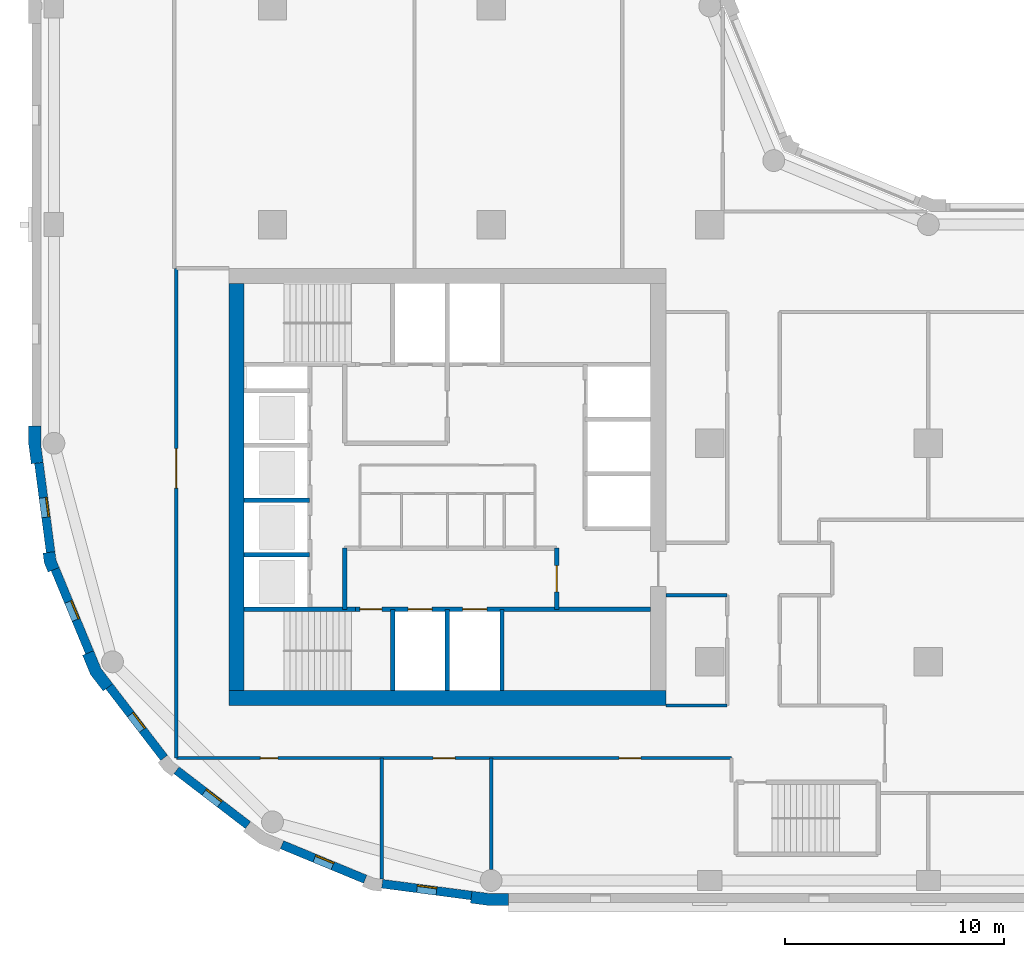
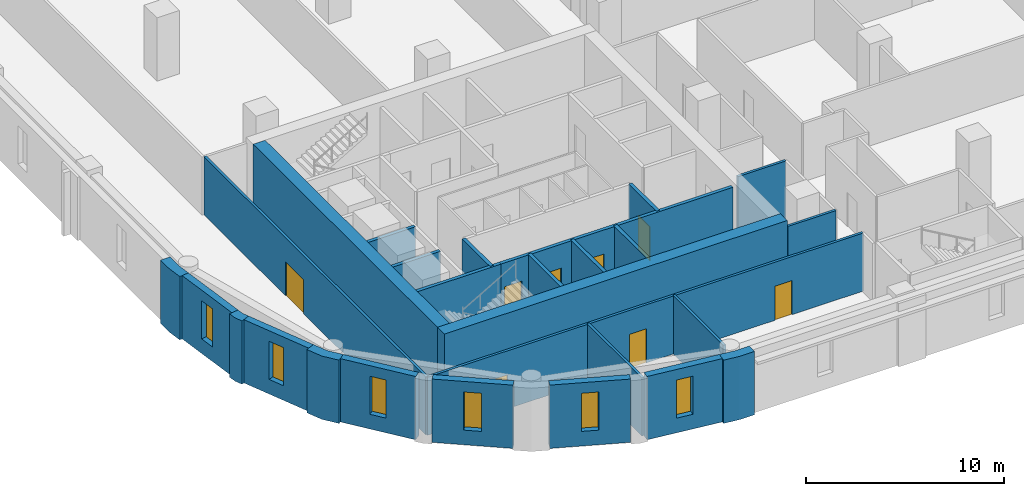
# One storey, part 2 of 9: 27 walls, 8 doors, 6 windows, 14 openings.
"""IFC4 building model written with IfcOpenShell, lengths in metres."""

from ifc_helpers import new_model, si_unit, direction, frame, frame_2d, origin, place, context, subcontext, project, spatial, polyline, rectangle, outline, extrude, material, layer, layer_set, type_object, element, fill, save


model = new_model("IFC4")

# Units and contexts
model_context = context("Model", 3, precision=1e-05, world=origin(), true_north=direction((0.0, 1.0)))
body_context = subcontext(model_context, "Body", "Model", "MODEL_VIEW")
ifc_project = project(units=[si_unit("LENGTHUNIT", "METRE"), si_unit("AREAUNIT", "SQUARE_METRE"), si_unit("VOLUMEUNIT", "CUBIC_METRE"), si_unit("PLANEANGLEUNIT", "RADIAN"), si_unit("MASSUNIT", "GRAM", prefix="KILO")], contexts=[model_context])

# Site, building, storey
site_placement = place(None, origin())
site = spatial("IfcSite", under=ifc_project, at=site_placement, CompositionType="ELEMENT")
building_placement = place(site_placement, origin())
building = spatial("IfcBuilding", under=site, at=building_placement, Name="Qaws Garden Tower", CompositionType="ELEMENT")
storey_placement = place(building_placement, frame((0.0, 0.0, 143.39990234375)))
storey = spatial("IfcBuildingStorey", under=building, at=storey_placement, Name="L34", CompositionType="ELEMENT", Elevation=143.39990234375)

# Wall, opening, window
ifc_material_1 = material(Name="Clay facing brick masonry", Category="masonry")
ifc_layer_1 = layer(ifc_material_1, 0.39990234375)
ifc_layer_set_1 = layer_set([ifc_layer_1], Name="Clay facing brick masonry")
wall_type_1 = type_object("IfcWallType", Name="Brick infill wall 400", PredefinedType="SOLIDWALL", material=ifc_layer_set_1)
wall_1_placement = place(storey_placement, frame((-0.688720703125, 19.102294921875, 0.0), z_axis=(0.0, 0.0, 1.0), x_axis=(0.130514280502, -0.991446429508, 0.0)))
wall_1 = element("IfcWall", 1, at=wall_1_placement, inside=storey, type_object=wall_type_1, Name="E-L34-infill-25", PredefinedType="SOLIDWALL", context=body_context, shape_type="SweptSolid", body=[
    extrude(rectangle(XDim=4.120849609375, YDim=0.39990234375, at=frame_2d((2.060546875, 0.0))), origin(), (0.0, 0.0, 1.0), 3.900146484375),
])
opening_1_placement = place(wall_1_placement, frame((1.610595703125, 0.0, 0.89990234375)))
opening_1 = element("IfcOpeningElement", 2, at=opening_1_placement, cuts=wall_1, Name="Opening W09", PredefinedType="OPENING", context=body_context, shape_type="SweptSolid", body=[
    extrude(rectangle(XDim=0.89990234375, YDim=2.35009765625, at=frame_2d((0.449951171875, 1.175048828125))), frame((0.0, 0.2099609375, 0.0), z_axis=(0.0, -1.0, 0.0), x_axis=(1.0, 0.0, 0.0)), (0.0, 0.0, 1.0), 0.419921875),
])
ifc_material_2 = material(Name="Aluminium framed window, clear glazing", Category="aluminium")
window_type = type_object("IfcWindowType", Name="Slit window 900 x 2350", PartitioningType="SINGLE_PANEL", PredefinedType="WINDOW", material=ifc_material_2)
window_1_placement = place(opening_1_placement, origin())
window_1 = element("IfcWindow", 3, at=window_1_placement, inside=storey, type_object=window_type, Name="E-L34-window-25-0", OverallHeight=2.35009765625, OverallWidth=0.89990234375, PartitioningType="SINGLE_PANEL", PredefinedType="WINDOW", context=body_context, shape_type="SweptSolid", body=[
    extrude(rectangle(XDim=0.89990234375, YDim=2.35009765625, at=frame_2d((0.449951171875, 1.175048828125))), frame((0.0, 0.159912109375, 0.0), z_axis=(0.0, -1.0, 0.0), x_axis=(1.0, 0.0, 0.0)), (0.0, 0.0, 1.0), 0.06005859375),
])
fill(opening_1, window_1)

wall_2_placement = place(storey_placement, frame((0.05712890625, 14.240234375, 0.0), z_axis=(0.0, 0.0, 1.0), x_axis=(0.382721546029, -0.923863744394, 0.0)))
wall_2 = element("IfcWall", 4, at=wall_2_placement, inside=storey, type_object=wall_type_1, Name="E-L34-infill-26", PredefinedType="SOLIDWALL", context=body_context, shape_type="SweptSolid", body=[
    extrude(rectangle(XDim=4.120849609375, YDim=0.39990234375, at=frame_2d((2.060546875, 0.0))), origin(), (0.0, 0.0, 1.0), 3.900146484375),
])
opening_2_placement = place(wall_2_placement, frame((1.610595703125, 0.0, 0.89990234375)))
opening_2 = element("IfcOpeningElement", 5, at=opening_2_placement, cuts=wall_2, Name="Opening W09", PredefinedType="OPENING", context=body_context, shape_type="SweptSolid", body=[
    extrude(rectangle(XDim=0.89990234375, YDim=2.35009765625, at=frame_2d((0.449951171875, 1.175048828125))), frame((0.0, 0.2099609375, 0.0), z_axis=(0.0, -1.0, 0.0), x_axis=(1.0, 0.0, 0.0)), (0.0, 0.0, 1.0), 0.419921875),
])
window_2_placement = place(opening_2_placement, origin())
window_2 = element("IfcWindow", 6, at=window_2_placement, inside=storey, type_object=window_type, Name="E-L34-window-26-0", OverallHeight=2.35009765625, OverallWidth=0.89990234375, PartitioningType="SINGLE_PANEL", PredefinedType="WINDOW", context=body_context, shape_type="SweptSolid", body=[
    extrude(rectangle(XDim=0.89990234375, YDim=2.35009765625, at=frame_2d((0.449951171875, 1.175048828125))), frame((0.0, 0.159912109375, 0.0), z_axis=(0.0, -1.0, 0.0), x_axis=(1.0, 0.0, 0.0)), (0.0, 0.0, 1.0), 0.06005859375),
])
fill(opening_2, window_2)

wall_3_placement = place(storey_placement, frame((2.53173828125, 8.87841796875, 0.0), z_axis=(0.0, 0.0, 1.0), x_axis=(0.608759824817, -0.793354571229, 0.0)))
wall_3 = element("IfcWall", 7, at=wall_3_placement, inside=storey, type_object=wall_type_1, Name="E-L34-infill-27", PredefinedType="SOLIDWALL", context=body_context, shape_type="SweptSolid", body=[
    extrude(rectangle(XDim=4.12109375, YDim=0.39990234375, at=frame_2d((2.060546875, 0.0))), origin(), (0.0, 0.0, 1.0), 3.900146484375),
])
opening_3_placement = place(wall_3_placement, frame((1.610595703125, 0.0, 0.89990234375)))
opening_3 = element("IfcOpeningElement", 8, at=opening_3_placement, cuts=wall_3, Name="Opening W09", PredefinedType="OPENING", context=body_context, shape_type="SweptSolid", body=[
    extrude(rectangle(XDim=0.89990234375, YDim=2.35009765625, at=frame_2d((0.449951171875, 1.175048828125))), frame((0.0, 0.2099609375, 0.0), z_axis=(0.0, -1.0, 0.0), x_axis=(1.0, 0.0, 0.0)), (0.0, 0.0, 1.0), 0.419921875),
])
window_3_placement = place(opening_3_placement, origin())
window_3 = element("IfcWindow", 9, at=window_3_placement, inside=storey, type_object=window_type, Name="E-L34-window-27-0", OverallHeight=2.35009765625, OverallWidth=0.89990234375, PartitioningType="SINGLE_PANEL", PredefinedType="WINDOW", context=body_context, shape_type="SweptSolid", body=[
    extrude(rectangle(XDim=0.89990234375, YDim=2.35009765625, at=frame_2d((0.449951171875, 1.175048828125))), frame((0.0, 0.159912109375, 0.0), z_axis=(0.0, -1.0, 0.0), x_axis=(1.0, 0.0, 0.0)), (0.0, 0.0, 1.0), 0.06005859375),
])
fill(opening_3, window_3)

wall_4_placement = place(storey_placement, frame((5.60888671875, 5.04052734375, 0.0), z_axis=(0.0, 0.0, 1.0), x_axis=(0.793354571229, -0.608759824817, 0.0)))
wall_4 = element("IfcWall", 10, at=wall_4_placement, inside=storey, type_object=wall_type_1, Name="E-L34-infill-28", PredefinedType="SOLIDWALL", context=body_context, shape_type="SweptSolid", body=[
    extrude(rectangle(XDim=4.12109375, YDim=0.39990234375, at=frame_2d((2.060546875, 0.0))), origin(), (0.0, 0.0, 1.0), 3.900146484375),
])
opening_4_placement = place(wall_4_placement, frame((1.610595703125, 0.0, 0.89990234375)))
opening_4 = element("IfcOpeningElement", 11, at=opening_4_placement, cuts=wall_4, Name="Opening W09", PredefinedType="OPENING", context=body_context, shape_type="SweptSolid", body=[
    extrude(rectangle(XDim=0.89990234375, YDim=2.35009765625, at=frame_2d((0.449951171875, 1.175048828125))), frame((0.0, 0.2099609375, 0.0), z_axis=(0.0, -1.0, 0.0), x_axis=(1.0, 0.0, 0.0)), (0.0, 0.0, 1.0), 0.419921875),
])
window_4_placement = place(opening_4_placement, origin())
window_4 = element("IfcWindow", 12, at=window_4_placement, inside=storey, type_object=window_type, Name="E-L34-window-28-0", OverallHeight=2.35009765625, OverallWidth=0.89990234375, PartitioningType="SINGLE_PANEL", PredefinedType="WINDOW", context=body_context, shape_type="SweptSolid", body=[
    extrude(rectangle(XDim=0.89990234375, YDim=2.35009765625, at=frame_2d((0.449951171875, 1.175048828125))), frame((0.0, 0.159912109375, 0.0), z_axis=(0.0, -1.0, 0.0), x_axis=(1.0, 0.0, 0.0)), (0.0, 0.0, 1.0), 0.06005859375),
])
fill(opening_4, window_4)

wall_5_placement = place(storey_placement, frame((10.43310546875, 1.63427734375, 0.0), z_axis=(0.0, 0.0, 1.0), x_axis=(0.923863744394, -0.382721546029, 0.0)))
wall_5 = element("IfcWall", 13, at=wall_5_placement, inside=storey, type_object=wall_type_1, Name="E-L34-infill-29", PredefinedType="SOLIDWALL", context=body_context, shape_type="SweptSolid", body=[
    extrude(rectangle(XDim=4.120849609375, YDim=0.39990234375, at=frame_2d((2.060546875, 0.0))), origin(), (0.0, 0.0, 1.0), 3.900146484375),
])
opening_5_placement = place(wall_5_placement, frame((1.610595703125, 0.0, 0.89990234375)))
opening_5 = element("IfcOpeningElement", 14, at=opening_5_placement, cuts=wall_5, Name="Opening W09", PredefinedType="OPENING", context=body_context, shape_type="SweptSolid", body=[
    extrude(rectangle(XDim=0.89990234375, YDim=2.35009765625, at=frame_2d((0.449951171875, 1.175048828125))), frame((0.0, 0.2099609375, 0.0), z_axis=(0.0, -1.0, 0.0), x_axis=(1.0, 0.0, 0.0)), (0.0, 0.0, 1.0), 0.419921875),
])
window_5_placement = place(opening_5_placement, origin())
window_5 = element("IfcWindow", 15, at=window_5_placement, inside=storey, type_object=window_type, Name="E-L34-window-29-0", OverallHeight=2.35009765625, OverallWidth=0.89990234375, PartitioningType="SINGLE_PANEL", PredefinedType="WINDOW", context=body_context, shape_type="SweptSolid", body=[
    extrude(rectangle(XDim=0.89990234375, YDim=2.35009765625, at=frame_2d((0.449951171875, 1.175048828125))), frame((0.0, 0.159912109375, 0.0), z_axis=(0.0, -1.0, 0.0), x_axis=(1.0, 0.0, 0.0)), (0.0, 0.0, 1.0), 0.06005859375),
])
fill(opening_5, window_5)

wall_6_placement = place(storey_placement, frame((15.0166015625, -0.15087890625, 0.0), z_axis=(0.0, 0.0, 1.0), x_axis=(0.991446429508, -0.130514280502, 0.0)))
wall_6 = element("IfcWall", 16, at=wall_6_placement, inside=storey, type_object=wall_type_1, Name="E-L34-infill-30", PredefinedType="SOLIDWALL", context=body_context, shape_type="SweptSolid", body=[
    extrude(rectangle(XDim=4.120849609375, YDim=0.39990234375, at=frame_2d((2.060546875, 0.0))), origin(), (0.0, 0.0, 1.0), 3.900146484375),
])
opening_6_placement = place(wall_6_placement, frame((1.610595703125, 0.0, 0.89990234375)))
opening_6 = element("IfcOpeningElement", 17, at=opening_6_placement, cuts=wall_6, Name="Opening W09", PredefinedType="OPENING", context=body_context, shape_type="SweptSolid", body=[
    extrude(rectangle(XDim=0.89990234375, YDim=2.35009765625, at=frame_2d((0.449951171875, 1.175048828125))), frame((0.0, 0.2099609375, 0.0), z_axis=(0.0, -1.0, 0.0), x_axis=(1.0, 0.0, 0.0)), (0.0, 0.0, 1.0), 0.419921875),
])
window_6_placement = place(opening_6_placement, origin())
window_6 = element("IfcWindow", 18, at=window_6_placement, inside=storey, type_object=window_type, Name="E-L34-window-30-0", OverallHeight=2.35009765625, OverallWidth=0.89990234375, PartitioningType="SINGLE_PANEL", PredefinedType="WINDOW", context=body_context, shape_type="SweptSolid", body=[
    extrude(rectangle(XDim=0.89990234375, YDim=2.35009765625, at=frame_2d((0.449951171875, 1.175048828125))), frame((0.0, 0.159912109375, 0.0), z_axis=(0.0, -1.0, 0.0), x_axis=(1.0, 0.0, 0.0)), (0.0, 0.0, 1.0), 0.06005859375),
])
fill(opening_6, window_6)

# Walls
ifc_material_3 = material(Name="Clay facing brick masonry", Category="masonry")
ifc_layer_2 = layer(ifc_material_3, 0.550048828125)
ifc_layer_set_2 = layer_set([ifc_layer_2], Name="Clay facing brick masonry")
wall_type_2 = type_object("IfcWallType", Name="Brick kink pier 550 x 600", PredefinedType="SOLIDWALL", material=ifc_layer_set_2)
placement = place(storey_placement, origin())
element("IfcWall", 19, at=placement, inside=storey, type_object=wall_type_2, Name="E-L34-pier-26", PredefinedType="SOLIDWALL", context=body_context, shape_type="SweptSolid", body=[
    extrude(outline(polyline([(-0.34912109375, 14.990478515625), (-0.497802734375, 14.970947265625), (-0.43896484375, 14.5234375), (-0.26611328125, 14.1064453125), (-0.127685546875, 14.163818359375), (0.241943359375, 14.31689453125), (0.096923828125, 14.6669921875), (0.04736328125, 15.042724609375), (-0.34912109375, 14.990478515625)])), origin(), (0.0, 0.0, 1.0), 3.900146484375),
])
ifc_material_4 = material(Name="Clay facing brick masonry", Category="masonry")
ifc_layer_3 = layer(ifc_material_4, 0.550048828125)
ifc_layer_set_3 = layer_set([ifc_layer_3], Name="Clay facing brick masonry")
wall_type_3 = type_object("IfcWallType", Name="Brick pier 550 x 1600", PredefinedType="SOLIDWALL", material=ifc_layer_set_3)
element("IfcWall", 20, at=placement, inside=storey, type_object=wall_type_3, Name="E-L34-pier-00", PredefinedType="SOLIDWALL", context=body_context, shape_type="SweptSolid", body=[
    extrude(outline(polyline([(19.076416015625, -0.886962890625), (19.056640625, -1.03564453125), (19.924560546875, -1.14990234375), (20.800048828125, -1.14990234375), (20.800048828125, -1.0), (20.800048828125, -0.60009765625), (19.960693359375, -0.60009765625), (19.12841796875, -0.490478515625), (19.076416015625, -0.886962890625)])), origin(), (0.0, 0.0, 1.0), 3.900146484375),
])
element("IfcWall", 21, at=placement, inside=storey, type_object=wall_type_3, Name="E-L34-pier-25", PredefinedType="SOLIDWALL", context=body_context, shape_type="SweptSolid", body=[
    extrude(outline(polyline([(-1.0, 20.800048828125), (-1.14990234375, 20.800048828125), (-1.14990234375, 19.924560546875), (-1.03564453125, 19.056640625), (-0.886962890625, 19.076416015625), (-0.490478515625, 19.12841796875), (-0.60009765625, 19.960693359375), (-0.60009765625, 20.800048828125), (-1.0, 20.800048828125)])), origin(), (0.0, 0.0, 1.0), 3.900146484375),
])
element("IfcWall", 22, at=placement, inside=storey, type_object=wall_type_3, Name="E-L34-pier-27", PredefinedType="SOLIDWALL", context=body_context, shape_type="SweptSolid", body=[
    extrude(outline(polyline([(1.449462890625, 10.3564453125), (1.310791015625, 10.299072265625), (1.675048828125, 9.419921875), (2.254150390625, 8.665283203125), (2.373046875, 8.756591796875), (2.6904296875, 9.0), (2.1552734375, 9.697509765625), (1.819091796875, 10.509521484375), (1.449462890625, 10.3564453125)])), origin(), (0.0, 0.0, 1.0), 3.900146484375),
])
ifc_material_5 = material(Name="Concrete C70", Category="concrete")
ifc_layer_4 = layer(ifc_material_5, 0.199951171875)
ifc_layer_set_4 = layer_set([ifc_layer_4], Name="Concrete C70")
wall_type_4 = type_object("IfcWallType", Name="Core shaft wall 200 C70", PredefinedType="SHEAR", material=ifc_layer_set_4)
wall_11_placement = place(storey_placement, frame((8.699951171875, 12.39990234375, 0.0), z_axis=(0.0, 0.0, 1.0), x_axis=(1.0, 0.0, 0.0)))
element("IfcWall", 23, at=wall_11_placement, inside=storey, type_object=wall_type_4, Name="Shaft wall", PredefinedType="SHEAR", context=body_context, shape_type="SweptSolid", body=[
    extrude(rectangle(XDim=5.10009765625, YDim=0.199951171875, at=frame_2d((2.550048828125, 0.0))), origin(), (0.0, 0.0, 1.0), 3.580078125),
])

# Wall, openings, doors
wall_12_placement = place(storey_placement, frame((13.800048828125, 12.39990234375, 0.0), z_axis=(0.0, 0.0, 1.0), x_axis=(1.0, 0.0, 0.0)))
wall_12 = element("IfcWall", 24, at=wall_12_placement, inside=storey, type_object=wall_type_4, Name="Shaft wall", PredefinedType="SHEAR", context=body_context, shape_type="SweptSolid", body=[
    extrude(rectangle(XDim=13.5, YDim=0.199951171875, at=frame_2d((6.75, 0.0))), origin(), (0.0, 0.0, 1.0), 3.580078125),
])
opening_7_placement = place(wall_12_placement, frame((2.39990234375, 0.0, 0.0)))
opening_7 = element("IfcOpeningElement", 25, at=opening_7_placement, cuts=wall_12, Name="Opening LD06", PredefinedType="OPENING", context=body_context, shape_type="SweptSolid", body=[
    extrude(rectangle(XDim=1.10009765625, YDim=2.10009765625, at=frame_2d((0.550048828125, 1.050048828125))), frame((0.0, 0.10986328125, 0.0), z_axis=(0.0, -1.0, 0.0), x_axis=(1.0, 0.0, 0.0)), (0.0, 0.0, 1.0), 0.219970703125),
])
opening_8_placement = place(wall_12_placement, frame((4.89990234375, 0.0, 0.0)))
opening_8 = element("IfcOpeningElement", 26, at=opening_8_placement, cuts=wall_12, Name="Opening LD07", PredefinedType="OPENING", context=body_context, shape_type="SweptSolid", body=[
    extrude(rectangle(XDim=1.10009765625, YDim=2.10009765625, at=frame_2d((0.550048828125, 1.050048828125))), frame((0.0, 0.10986328125, 0.0), z_axis=(0.0, -1.0, 0.0), x_axis=(1.0, 0.0, 0.0)), (0.0, 0.0, 1.0), 0.219970703125),
])
opening_9_placement = place(wall_12_placement, frame((0.199951171875, 0.0, 0.0)))
opening_9 = element("IfcOpeningElement", 27, at=opening_9_placement, cuts=wall_12, Name="Opening SD10", PredefinedType="OPENING", context=body_context, shape_type="SweptSolid", body=[
    extrude(rectangle(XDim=1.0, YDim=2.10009765625, at=frame_2d((0.5, 1.050048828125))), frame((0.0, 0.10986328125, 0.0), z_axis=(0.0, -1.0, 0.0), x_axis=(1.0, 0.0, 0.0)), (0.0, 0.0, 1.0), 0.219970703125),
])
ifc_material_6 = material(Name="Steel S235", Category="steel")
door_type_1 = type_object("IfcDoorType", Name="Landing door 1100x2100", OperationType="DOUBLE_DOOR_SLIDING", PredefinedType="DOOR", material=ifc_material_6)
door_1_placement = place(opening_7_placement, origin())
door_1 = element("IfcDoor", 28, at=door_1_placement, inside=storey, type_object=door_type_1, Name="Lift FF1 landing door", OperationType="DOUBLE_DOOR_SLIDING", OverallHeight=2.10009765625, OverallWidth=1.10009765625, PredefinedType="DOOR", context=body_context, shape_type="SweptSolid", body=[
    extrude(rectangle(XDim=1.10009765625, YDim=2.10009765625, at=frame_2d((0.550048828125, 1.050048828125))), frame((0.0, 0.02490234375, 0.0), z_axis=(0.0, -1.0, 0.0), x_axis=(1.0, 0.0, 0.0)), (0.0, 0.0, 1.0), 0.050048828125),
])
fill(opening_7, door_1)
door_2_placement = place(opening_8_placement, origin())
door_2 = element("IfcDoor", 29, at=door_2_placement, inside=storey, type_object=door_type_1, Name="Lift FF2 landing door", OperationType="DOUBLE_DOOR_SLIDING", OverallHeight=2.10009765625, OverallWidth=1.10009765625, PredefinedType="DOOR", context=body_context, shape_type="SweptSolid", body=[
    extrude(rectangle(XDim=1.10009765625, YDim=2.10009765625, at=frame_2d((0.550048828125, 1.050048828125))), frame((0.0, 0.02490234375, 0.0), z_axis=(0.0, -1.0, 0.0), x_axis=(1.0, 0.0, 0.0)), (0.0, 0.0, 1.0), 0.050048828125),
])
fill(opening_8, door_2)
ifc_material_7 = material(Name="Steel S235", Category="steel")
door_type_2 = type_object("IfcDoorType", Name="Stair door 1000x2100", OperationType="SINGLE_SWING_RIGHT", PredefinedType="DOOR", material=ifc_material_7)
door_3_placement = place(opening_9_placement, frame((1.0, 0.0, 0.0), z_axis=(0.0, 0.0, 1.0), x_axis=(-1.0, 0.0, 0.0)))
door_3 = element("IfcDoor", 30, at=door_3_placement, inside=storey, type_object=door_type_2, Name="Stair 1 door", OperationType="SINGLE_SWING_LEFT", OverallHeight=2.10009765625, OverallWidth=1.0, PredefinedType="DOOR", context=body_context, shape_type="SweptSolid", body=[
    extrude(rectangle(XDim=1.0, YDim=2.10009765625, at=frame_2d((0.5, 1.050048828125))), frame((0.0, 0.02490234375, 0.0), z_axis=(0.0, -1.0, 0.0), x_axis=(1.0, 0.0, 0.0)), (0.0, 0.0, 1.0), 0.050048828125),
])
fill(opening_9, door_3)

# Walls
for number, where, z_axis, x_axis, name in (
    (31, (8.699951171875, 14.89990234375, 0.0), (0.0, 0.0, 1.0), (1.0, 0.0, 0.0), "Shaft wall"),
    (32, (8.699951171875, 17.39990234375, 0.0), (0.0, 0.0, 1.0), (1.0, 0.0, 0.0), "Shaft wall"),
):
    element("IfcWall", number, at=place(storey_placement, frame(where, z_axis=z_axis, x_axis=x_axis)), inside=storey, type_object=wall_type_4, Name=name, PredefinedType="SHEAR", context=body_context, shape_type="SweptSolid", body=[
        extrude(rectangle(XDim=3.0, YDim=0.199951171875, at=frame_2d((1.5, 0.0))), origin(), (0.0, 0.0, 1.0), 3.580078125),
    ])
wall_13_placement = place(storey_placement, frame((13.300048828125, 12.39990234375, 0.0), z_axis=(0.0, 0.0, 1.0), x_axis=(0.0, 1.0, 0.0)))
element("IfcWall", 33, at=wall_13_placement, inside=storey, type_object=wall_type_4, Name="Shaft wall", PredefinedType="SHEAR", context=body_context, shape_type="SweptSolid", body=[
    extrude(rectangle(XDim=2.800048828125, YDim=0.199951171875, at=frame_2d((1.39990234375, 0.0))), origin(), (0.0, 0.0, 1.0), 3.580078125),
])
for number, where, z_axis, x_axis, name in (
    (34, (15.5, 8.699951171875, 0.0), (0.0, 0.0, 1.0), (0.0, 1.0, 0.0), "Shaft wall"),
    (35, (18.0, 8.699951171875, 0.0), (0.0, 0.0, 1.0), (0.0, 1.0, 0.0), "Shaft wall"),
    (36, (20.5, 8.699951171875, 0.0), (0.0, 0.0, 1.0), (0.0, 1.0, 0.0), "Shaft wall"),
):
    element("IfcWall", number, at=place(storey_placement, frame(where, z_axis=z_axis, x_axis=x_axis)), inside=storey, type_object=wall_type_4, Name=name, PredefinedType="SHEAR", context=body_context, shape_type="SweptSolid", body=[
        extrude(rectangle(XDim=3.699951171875, YDim=0.199951171875, at=frame_2d((1.85009765625, 0.0))), origin(), (0.0, 0.0, 1.0), 3.580078125),
    ])

# Wall, opening, door
wall_14_placement = place(storey_placement, frame((23.0, 12.39990234375, 0.0), z_axis=(0.0, 0.0, 1.0), x_axis=(0.0, 1.0, 0.0)))
wall_14 = element("IfcWall", 37, at=wall_14_placement, inside=storey, type_object=wall_type_4, Name="Shaft wall", PredefinedType="SHEAR", context=body_context, shape_type="SweptSolid", body=[
    extrude(rectangle(XDim=2.800048828125, YDim=0.199951171875, at=frame_2d((1.39990234375, 0.0))), origin(), (0.0, 0.0, 1.0), 3.580078125),
])
opening_10_placement = place(wall_14_placement, frame((0.800048828125, 0.0, 0.0)))
opening_10 = element("IfcOpeningElement", 38, at=opening_10_placement, cuts=wall_14, Name="Opening FD15", PredefinedType="OPENING", context=body_context, shape_type="SweptSolid", body=[
    extrude(rectangle(XDim=1.199951171875, YDim=2.10009765625, at=frame_2d((0.60009765625, 1.050048828125))), frame((0.0, 0.10986328125, 0.0), z_axis=(0.0, -1.0, 0.0), x_axis=(1.0, 0.0, 0.0)), (0.0, 0.0, 1.0), 0.219970703125),
])
ifc_material_8 = material(Name="Steel S235", Category="steel")
door_type_3 = type_object("IfcDoorType", Name="Lobby door 1200x2100", OperationType="DOUBLE_DOOR_SINGLE_SWING", PredefinedType="DOOR", material=ifc_material_8)
door_4_placement = place(opening_10_placement, origin())
door_4 = element("IfcDoor", 39, at=door_4_placement, inside=storey, type_object=door_type_3, Name="Fire-fighting lobby door", OperationType="DOUBLE_DOOR_SINGLE_SWING", OverallHeight=2.10009765625, OverallWidth=1.199951171875, PredefinedType="DOOR", context=body_context, shape_type="SweptSolid", body=[
    extrude(rectangle(XDim=1.199951171875, YDim=2.10009765625, at=frame_2d((0.60009765625, 1.050048828125))), frame((0.0, 0.02490234375, 0.0), z_axis=(0.0, -1.0, 0.0), x_axis=(1.0, 0.0, 0.0)), (0.0, 0.0, 1.0), 0.050048828125),
])
fill(opening_10, door_4)

# Walls
ifc_material_9 = material(Name="Concrete C70", Category="concrete")
ifc_layer_5 = layer(ifc_material_9, 0.699951171875)
ifc_layer_set_5 = layer_set([ifc_layer_5], Name="Concrete C70")
wall_type_5 = type_object("IfcWallType", Name="Core wall 700 C70", PredefinedType="SHEAR", material=ifc_layer_set_5)
wall_15_placement = place(storey_placement, frame((8.0, 8.35009765625, 0.0), z_axis=(0.0, 0.0, 1.0), x_axis=(1.0, 0.0, 0.0)))
element("IfcWall", 40, at=wall_15_placement, inside=storey, type_object=wall_type_5, Name="Core wall L34 south", PredefinedType="SHEAR", context=body_context, shape_type="SweptSolid", body=[
    extrude(rectangle(XDim=20.0, YDim=0.699951171875, at=frame_2d((10.0, 0.0))), origin(), (0.0, 0.0, 1.0), 3.900146484375),
])
wall_16_placement = place(storey_placement, frame((8.35009765625, 27.300048828125, 0.0), z_axis=(0.0, 0.0, 1.0), x_axis=(0.0, -1.0, 0.0)))
element("IfcWall", 41, at=wall_16_placement, inside=storey, type_object=wall_type_5, Name="Core wall L34 west", PredefinedType="SHEAR", context=body_context, shape_type="SweptSolid", body=[
    extrude(rectangle(XDim=18.60009765625, YDim=0.699951171875, at=frame_2d((9.300048828125, 0.0))), origin(), (0.0, 0.0, 1.0), 3.900146484375),
])

# Wall, opening, door
ifc_material_10 = material(Name="Gypsum board partition")
ifc_layer_6 = layer(ifc_material_10, 0.14990234375)
ifc_layer_set_6 = layer_set([ifc_layer_6], Name="Gypsum board partition")
wall_type_6 = type_object("IfcWallType", Name="PARTITION 150 EI 60", PredefinedType="PARTITIONING", material=ifc_layer_set_6)
wall_17_placement = place(storey_placement, frame((5.60009765625, 5.60009765625, 0.0), z_axis=(0.0, 0.0, 1.0), x_axis=(0.0, 1.0, 0.0)))
wall_17 = element("IfcWall", 42, at=wall_17_placement, inside=storey, type_object=wall_type_6, Name="O-L34-wall-005", PredefinedType="PARTITIONING", context=body_context, shape_type="SweptSolid", body=[
    extrude(rectangle(XDim=22.39990234375, YDim=0.14990234375, at=frame_2d((11.199951171875, 0.0))), origin(), (0.0, 0.0, 1.0), 3.580078125),
])
opening_11_placement = place(wall_17_placement, frame((12.35009765625, 0.0, 0.0)))
opening_11 = element("IfcOpeningElement", 43, at=opening_11_placement, cuts=wall_17, Name="Opening B206", PredefinedType="OPENING", context=body_context, shape_type="SweptSolid", body=[
    extrude(rectangle(XDim=1.800048828125, YDim=2.10009765625, at=frame_2d((0.89990234375, 1.050048828125))), frame((0.0, 0.0849609375, 0.0), z_axis=(0.0, -1.0, 0.0), x_axis=(1.0, 0.0, 0.0)), (0.0, 0.0, 1.0), 0.169921875),
])
ifc_material_11 = material(Name="Timber door leaf", Category="wood")
door_type_4 = type_object("IfcDoorType", Name="DOUBLE DOOR 1800 X 2100", OperationType="DOUBLE_DOOR_SINGLE_SWING", PredefinedType="DOOR", material=ifc_material_11)
door_5_placement = place(opening_11_placement, origin())
door_5 = element("IfcDoor", 44, at=door_5_placement, inside=storey, type_object=door_type_4, Name="O-L34-door-006", OperationType="DOUBLE_DOOR_SINGLE_SWING", OverallHeight=2.10009765625, OverallWidth=1.800048828125, PredefinedType="DOOR", context=body_context, shape_type="SweptSolid", body=[
    extrude(rectangle(XDim=1.800048828125, YDim=2.10009765625, at=frame_2d((0.89990234375, 1.050048828125))), frame((0.0, 0.02490234375, 0.0), z_axis=(0.0, -1.0, 0.0), x_axis=(1.0, 0.0, 0.0)), (0.0, 0.0, 1.0), 0.050048828125),
])
fill(opening_11, door_5)

# Walls
wall_18_placement = place(storey_placement, frame((15.0, 0.06298828125, 0.0), z_axis=(0.0, 0.0, 1.0), x_axis=(0.0, 1.0, 0.0)))
element("IfcWall", 45, at=wall_18_placement, inside=storey, type_object=wall_type_6, Name="O-L34-wall-008", PredefinedType="PARTITIONING", context=body_context, shape_type="SweptSolid", body=[
    extrude(rectangle(XDim=5.537109375, YDim=0.14990234375, at=frame_2d((2.7685546875, 0.0))), origin(), (0.0, 0.0, 1.0), 3.580078125),
])
wall_19_placement = place(storey_placement, frame((20.0, 0.5, 0.0), z_axis=(0.0, 0.0, 1.0), x_axis=(0.0, 1.0, 0.0)))
element("IfcWall", 46, at=wall_19_placement, inside=storey, type_object=wall_type_6, Name="O-L34-wall-011", PredefinedType="PARTITIONING", context=body_context, shape_type="SweptSolid", body=[
    extrude(rectangle(XDim=5.10009765625, YDim=0.14990234375, at=frame_2d((2.550048828125, 0.0))), origin(), (0.0, 0.0, 1.0), 3.580078125),
])

# Wall, openings, doors
wall_20_placement = place(storey_placement, frame((5.60009765625, 5.60009765625, 0.0), z_axis=(0.0, 0.0, 1.0), x_axis=(1.0, 0.0, 0.0)))
wall_20 = element("IfcWall", 47, at=wall_20_placement, inside=storey, type_object=wall_type_6, Name="O-L34-wall-033", PredefinedType="PARTITIONING", context=body_context, shape_type="SweptSolid", body=[
    extrude(rectangle(XDim=25.39990234375, YDim=0.14990234375, at=frame_2d((12.699951171875, 0.0))), origin(), (0.0, 0.0, 1.0), 3.580078125),
])
opening_12_placement = place(wall_20_placement, frame((3.85009765625, 0.0, 0.0)))
opening_12 = element("IfcOpeningElement", 48, at=opening_12_placement, cuts=wall_20, Name="Opening B201", PredefinedType="OPENING", context=body_context, shape_type="SweptSolid", body=[
    extrude(rectangle(XDim=0.800048828125, YDim=2.10009765625, at=frame_2d((0.39990234375, 1.050048828125))), frame((0.0, 0.0849609375, 0.0), z_axis=(0.0, -1.0, 0.0), x_axis=(1.0, 0.0, 0.0)), (0.0, 0.0, 1.0), 0.169921875),
])
opening_13_placement = place(wall_20_placement, frame((11.75, 0.0, 0.0)))
opening_13 = element("IfcOpeningElement", 49, at=opening_13_placement, cuts=wall_20, Name="Opening B202", PredefinedType="OPENING", context=body_context, shape_type="SweptSolid", body=[
    extrude(rectangle(XDim=1.0, YDim=2.10009765625, at=frame_2d((0.5, 1.050048828125))), frame((0.0, 0.0849609375, 0.0), z_axis=(0.0, -1.0, 0.0), x_axis=(1.0, 0.0, 0.0)), (0.0, 0.0, 1.0), 0.169921875),
])
opening_14_placement = place(wall_20_placement, frame((20.25, 0.0, 0.0)))
opening_14 = element("IfcOpeningElement", 50, at=opening_14_placement, cuts=wall_20, Name="Opening B211", PredefinedType="OPENING", context=body_context, shape_type="SweptSolid", body=[
    extrude(rectangle(XDim=1.0, YDim=2.10009765625, at=frame_2d((0.5, 1.050048828125))), frame((0.0, 0.0849609375, 0.0), z_axis=(0.0, -1.0, 0.0), x_axis=(1.0, 0.0, 0.0)), (0.0, 0.0, 1.0), 0.169921875),
])
ifc_material_12 = material(Name="Timber door leaf", Category="wood")
door_type_5 = type_object("IfcDoorType", Name="STORE DOOR 800 X 2100", OperationType="SINGLE_SWING_LEFT", PredefinedType="DOOR", material=ifc_material_12)
door_6_placement = place(opening_12_placement, frame((0.800048828125, 0.0, 0.0), z_axis=(0.0, 0.0, 1.0), x_axis=(-1.0, 0.0, 0.0)))
door_6 = element("IfcDoor", 51, at=door_6_placement, inside=storey, type_object=door_type_5, Name="O-L34-door-001", OperationType="SINGLE_SWING_LEFT", OverallHeight=2.10009765625, OverallWidth=0.800048828125, PredefinedType="DOOR", context=body_context, shape_type="SweptSolid", body=[
    extrude(rectangle(XDim=0.800048828125, YDim=2.10009765625, at=frame_2d((0.39990234375, 1.050048828125))), frame((0.0, 0.02490234375, 0.0), z_axis=(0.0, -1.0, 0.0), x_axis=(1.0, 0.0, 0.0)), (0.0, 0.0, 1.0), 0.050048828125),
])
fill(opening_12, door_6)
ifc_material_13 = material(Name="Timber door leaf", Category="wood")
door_type_6 = type_object("IfcDoorType", Name="TENANCY ENTRANCE DOOR 1000 X 2100", OperationType="SINGLE_SWING_LEFT", PredefinedType="DOOR", material=ifc_material_13)
door_7_placement = place(opening_13_placement, frame((1.0, 0.0, 0.0), z_axis=(0.0, 0.0, 1.0), x_axis=(-1.0, 0.0, 0.0)))
door_7 = element("IfcDoor", 52, at=door_7_placement, inside=storey, type_object=door_type_6, Name="O-L34-door-002", OperationType="SINGLE_SWING_LEFT", OverallHeight=2.10009765625, OverallWidth=1.0, PredefinedType="DOOR", context=body_context, shape_type="SweptSolid", body=[
    extrude(rectangle(XDim=1.0, YDim=2.10009765625, at=frame_2d((0.5, 1.050048828125))), frame((0.0, 0.02490234375, 0.0), z_axis=(0.0, -1.0, 0.0), x_axis=(1.0, 0.0, 0.0)), (0.0, 0.0, 1.0), 0.050048828125),
])
fill(opening_13, door_7)
door_8_placement = place(opening_14_placement, frame((1.0, 0.0, 0.0), z_axis=(0.0, 0.0, 1.0), x_axis=(-1.0, 0.0, 0.0)))
door_8 = element("IfcDoor", 53, at=door_8_placement, inside=storey, type_object=door_type_6, Name="O-L34-door-011", OperationType="SINGLE_SWING_LEFT", OverallHeight=2.10009765625, OverallWidth=1.0, PredefinedType="DOOR", context=body_context, shape_type="SweptSolid", body=[
    extrude(rectangle(XDim=1.0, YDim=2.10009765625, at=frame_2d((0.5, 1.050048828125))), frame((0.0, 0.02490234375, 0.0), z_axis=(0.0, -1.0, 0.0), x_axis=(1.0, 0.0, 0.0)), (0.0, 0.0, 1.0), 0.050048828125),
])
fill(opening_14, door_8)

# Walls
for number, where, z_axis, x_axis, name in (
    (54, (28.0, 8.0, 0.0), (0.0, 0.0, 1.0), (1.0, 0.0, 0.0), "O-L34-wall-034"),
    (55, (28.0, 13.050048828125, 0.0), (0.0, 0.0, 1.0), (1.0, 0.0, 0.0), "O-L34-wall-036"),
):
    element("IfcWall", number, at=place(storey_placement, frame(where, z_axis=z_axis, x_axis=x_axis)), inside=storey, type_object=wall_type_6, Name=name, PredefinedType="PARTITIONING", context=body_context, shape_type="SweptSolid", body=[
        extrude(rectangle(XDim=2.800048828125, YDim=0.14990234375, at=frame_2d((1.39990234375, 0.0))), origin(), (0.0, 0.0, 1.0), 3.580078125),
    ])

save(model, "model.ifc")
